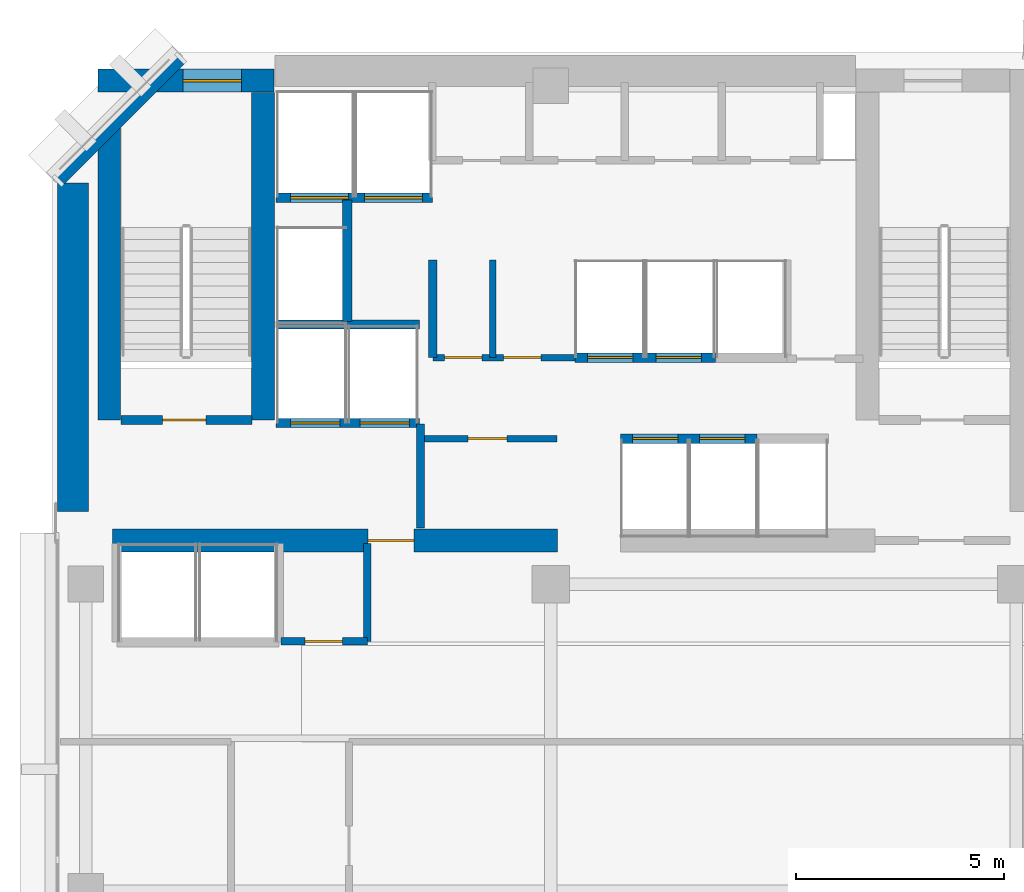
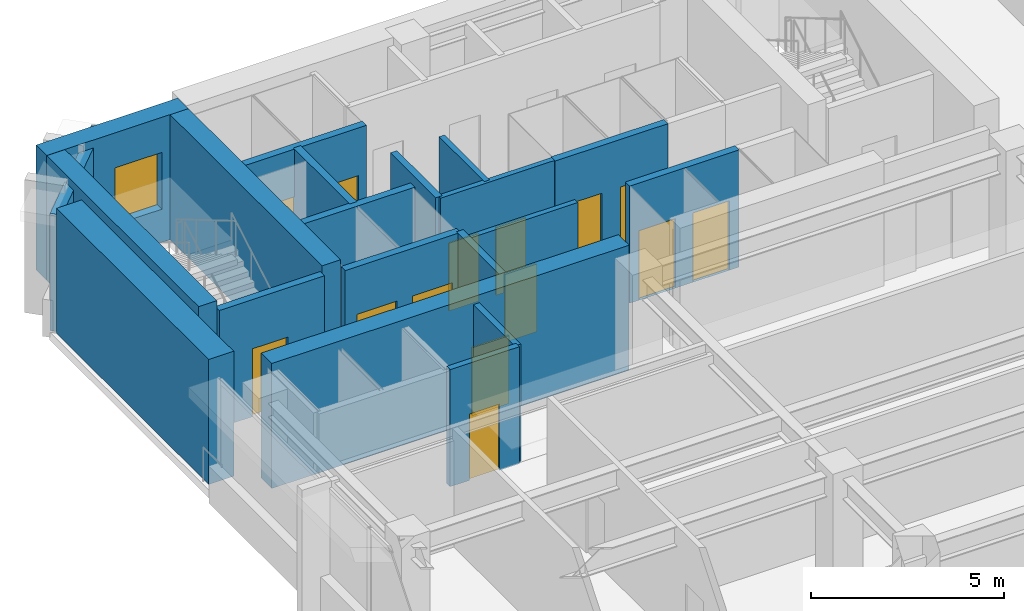
# One storey, part 7 of 11: 20 walls, 14 doors, 1 window, 15 openings.
"""IFC4 building model written with IfcOpenShell, lengths in metres."""

from ifc_helpers import new_model, si_unit, direction, frame, frame_2d, origin, place, context, subcontext, project, spatial, rectangle, extrude, material, layer, layer_set, type_object, element, fill, save


model = new_model("IFC4")

# Units and contexts
model_context = context("Model", 3, precision=1e-05, world=origin(), true_north=direction((0.0, 1.0)))
body_context = subcontext(model_context, "Body", "Model", "MODEL_VIEW")
ifc_project = project(units=[si_unit("LENGTHUNIT", "METRE"), si_unit("AREAUNIT", "SQUARE_METRE"), si_unit("VOLUMEUNIT", "CUBIC_METRE"), si_unit("PLANEANGLEUNIT", "RADIAN"), si_unit("MASSUNIT", "GRAM", prefix="KILO")], contexts=[model_context])

# Site, building, storey
site_placement = place(None, origin())
site = spatial("IfcSite", under=ifc_project, at=site_placement, CompositionType="ELEMENT")
building_placement = place(site_placement, origin())
building = spatial("IfcBuilding", under=site, at=building_placement, Name="Kefirva Bronze Tower", CompositionType="ELEMENT")
storey_placement = place(building_placement, frame((0.0, 0.0, 187.43994140625)))
storey = spatial("IfcBuildingStorey", under=building, at=storey_placement, Name="L45", CompositionType="ELEMENT", Elevation=187.43994140625)

# Wall, opening, door
ifc_material_1 = material(Name="Gypsum fireboard shaftwall")
ifc_layer_1 = layer(ifc_material_1, 0.219970703125, Name="Gypsum fireboard shaftwall")
ifc_layer_set_1 = layer_set([ifc_layer_1], Name="Gypsum fireboard shaftwall")
wall_type_1 = type_object("IfcWallType", Name="Fire-Rated Shaft Enclosure Wall 220mm", PredefinedType="PARTITIONING", material=ifc_layer_set_1)
wall_1_placement = place(storey_placement, frame((1.64990234375, 37.14990234375, 0.0), z_axis=(0.0, 0.0, 1.0), x_axis=(1.0, 0.0, 0.0)))
wall_1 = element("IfcWall", 1, at=wall_1_placement, inside=storey, type_object=wall_type_1, Name="L45 Partition W-L45-ST1S", PredefinedType="PARTITIONING", context=body_context, shape_type="SweptSolid", body=[
    extrude(rectangle(XDim=3.150146484375, YDim=0.219970703125, at=frame_2d((1.5751953125, 0.0))), origin(), (0.0, 0.0, 1.0), 3.7099609375),
])
opening_1_placement = place(wall_1_placement, frame((2.050048828125, 0.0, 0.0), z_axis=(0.0, 0.0, 1.0), x_axis=(-1.0, 0.0, 0.0)))
opening_1 = element("IfcOpeningElement", 2, at=opening_1_placement, cuts=wall_1, Name="Opening L45-D001", PredefinedType="OPENING", context=body_context, shape_type="SweptSolid", body=[
    extrude(rectangle(XDim=1.050048828125, YDim=2.14990234375, at=frame_2d((0.52490234375, 1.074951171875))), frame((0.0, 0.1201171875, 0.0), z_axis=(0.0, -1.0, 0.0), x_axis=(1.0, 0.0, 0.0)), (0.0, 0.0, 1.0), 0.239990234375),
])
ifc_material_2 = material(Name="Painted galvanized steel", Category="steel")
door_type_1 = type_object("IfcDoorType", Name="Fire Stair Enclosure Door 1050x2150 FD90S", OperationType="NOTDEFINED", PredefinedType="DOOR", material=ifc_material_2)
door_1_placement = place(opening_1_placement, origin())
door_1 = element("IfcDoor", 3, at=door_1_placement, inside=storey, type_object=door_type_1, Name="Door L45-D001", OperationType="SINGLE_SWING_LEFT", OverallHeight=2.14990234375, OverallWidth=1.050048828125, PredefinedType="DOOR", context=body_context, shape_type="SweptSolid", body=[
    extrude(rectangle(XDim=1.050048828125, YDim=2.14990234375, at=frame_2d((0.52490234375, 1.074951171875))), frame((0.0, 0.02490234375, 0.0), z_axis=(0.0, -1.0, 0.0), x_axis=(1.0, 0.0, 0.0)), (0.0, 0.0, 1.0), 0.050048828125),
])
fill(opening_1, door_1)

# Wall, openings, doors
wall_2_placement = place(storey_placement, frame((5.3798828125, 37.080078125, 0.0), z_axis=(0.0, 0.0, 1.0), x_axis=(1.0, 0.0, 0.0)))
wall_2 = element("IfcWall", 4, at=wall_2_placement, inside=storey, type_object=wall_type_1, Name="L45 Partition W-L45-FFS", PredefinedType="PARTITIONING", context=body_context, shape_type="SweptSolid", body=[
    extrude(rectangle(XDim=3.460205078125, YDim=0.219970703125, at=frame_2d((1.72998046875, 0.0))), origin(), (0.0, 0.0, 1.0), 3.7099609375),
])
opening_2_placement = place(wall_2_placement, frame((1.550048828125, 0.0, 0.0), z_axis=(0.0, 0.0, 1.0), x_axis=(-1.0, 0.0, 0.0)))
opening_2 = element("IfcOpeningElement", 5, at=opening_2_placement, cuts=wall_2, Name="Opening L45-LD-FF1", PredefinedType="OPENING", context=body_context, shape_type="SweptSolid", body=[
    extrude(rectangle(XDim=1.199951171875, YDim=2.199951171875, at=frame_2d((0.60009765625, 1.10009765625))), frame((0.0, 0.1201171875, 0.0), z_axis=(0.0, -1.0, 0.0), x_axis=(1.0, 0.0, 0.0)), (0.0, 0.0, 1.0), 0.239990234375),
])
opening_3_placement = place(wall_2_placement, frame((3.219970703125, 0.0, 0.0), z_axis=(0.0, 0.0, 1.0), x_axis=(-1.0, 0.0, 0.0)))
opening_3 = element("IfcOpeningElement", 6, at=opening_3_placement, cuts=wall_2, Name="Opening L45-LD-FF2", PredefinedType="OPENING", context=body_context, shape_type="SweptSolid", body=[
    extrude(rectangle(XDim=1.199951171875, YDim=2.199951171875, at=frame_2d((0.60009765625, 1.10009765625))), frame((0.0, 0.1201171875, 0.0), z_axis=(0.0, -1.0, 0.0), x_axis=(1.0, 0.0, 0.0)), (0.0, 0.0, 1.0), 0.239990234375),
])
ifc_material_3 = material(Name="Stainless steel 316", Category="steel")
door_type_2 = type_object("IfcDoorType", Name="Firefighting Lift Sliding Door 1200x2200", OperationType="SLIDING_TO_RIGHT", PredefinedType="DOOR", material=ifc_material_3)
door_2_placement = place(opening_2_placement, origin())
door_2 = element("IfcDoor", 7, at=door_2_placement, inside=storey, type_object=door_type_2, Name="Door L45-LD-FF1", OperationType="SLIDING_TO_RIGHT", OverallHeight=2.199951171875, OverallWidth=1.199951171875, PredefinedType="DOOR", context=body_context, shape_type="SweptSolid", body=[
    extrude(rectangle(XDim=1.199951171875, YDim=2.199951171875, at=frame_2d((0.60009765625, 1.10009765625))), frame((0.0, 0.02490234375, 0.0), z_axis=(0.0, -1.0, 0.0), x_axis=(1.0, 0.0, 0.0)), (0.0, 0.0, 1.0), 0.050048828125),
])
fill(opening_2, door_2)
door_3_placement = place(opening_3_placement, origin())
door_3 = element("IfcDoor", 8, at=door_3_placement, inside=storey, type_object=door_type_2, Name="Door L45-LD-FF2", OperationType="SLIDING_TO_RIGHT", OverallHeight=2.199951171875, OverallWidth=1.199951171875, PredefinedType="DOOR", context=body_context, shape_type="SweptSolid", body=[
    extrude(rectangle(XDim=1.199951171875, YDim=2.199951171875, at=frame_2d((0.60009765625, 1.10009765625))), frame((0.0, 0.02490234375, 0.0), z_axis=(0.0, -1.0, 0.0), x_axis=(1.0, 0.0, 0.0)), (0.0, 0.0, 1.0), 0.050048828125),
])
fill(opening_3, door_3)

# Wall
wall_3_placement = place(storey_placement, frame((5.3798828125, 39.449951171875, 0.0), z_axis=(0.0, 0.0, 1.0), x_axis=(1.0, 0.0, 0.0)))
element("IfcWall", 9, at=wall_3_placement, inside=storey, type_object=wall_type_1, Name="L45 Partition W-L45-FFN", PredefinedType="PARTITIONING", context=body_context, shape_type="SweptSolid", body=[
    extrude(rectangle(XDim=3.460205078125, YDim=0.219970703125, at=frame_2d((1.72998046875, 0.0))), origin(), (0.0, 0.0, 1.0), 3.7099609375),
])

# Wall, openings, doors
wall_4_placement = place(storey_placement, frame((5.3798828125, 42.5, 0.0), z_axis=(0.0, 0.0, 1.0), x_axis=(1.0, 0.0, 0.0)))
wall_4 = element("IfcWall", 10, at=wall_4_placement, inside=storey, type_object=wall_type_1, Name="L45 Partition W-L45-SVS", PredefinedType="PARTITIONING", context=body_context, shape_type="SweptSolid", body=[
    extrude(rectangle(XDim=3.77001953125, YDim=0.219970703125, at=frame_2d((1.885009765625, 0.0))), origin(), (0.0, 0.0, 1.0), 3.7099609375),
])
opening_4_placement = place(wall_4_placement, frame((1.75, 0.0, 0.0), z_axis=(0.0, 0.0, 1.0), x_axis=(-1.0, 0.0, 0.0)))
opening_4 = element("IfcOpeningElement", 11, at=opening_4_placement, cuts=wall_4, Name="Opening L45-LD-SV1", PredefinedType="OPENING", context=body_context, shape_type="SweptSolid", body=[
    extrude(rectangle(XDim=1.39990234375, YDim=2.199951171875, at=frame_2d((0.699951171875, 1.10009765625))), frame((0.0, 0.1201171875, 0.0), z_axis=(0.0, -1.0, 0.0), x_axis=(1.0, 0.0, 0.0)), (0.0, 0.0, 1.0), 0.239990234375),
])
opening_5_placement = place(wall_4_placement, frame((3.52978515625, 0.0, 0.0), z_axis=(0.0, 0.0, 1.0), x_axis=(-1.0, 0.0, 0.0)))
opening_5 = element("IfcOpeningElement", 12, at=opening_5_placement, cuts=wall_4, Name="Opening L45-LD-SV2", PredefinedType="OPENING", context=body_context, shape_type="SweptSolid", body=[
    extrude(rectangle(XDim=1.39990234375, YDim=2.199951171875, at=frame_2d((0.699951171875, 1.10009765625))), frame((0.0, 0.1201171875, 0.0), z_axis=(0.0, -1.0, 0.0), x_axis=(1.0, 0.0, 0.0)), (0.0, 0.0, 1.0), 0.239990234375),
])
door_type_3 = type_object("IfcDoorType", Name="Goods Lift Bi-Parting Sliding Door 1400x2200", OperationType="SLIDING_TO_LEFT", PredefinedType="DOOR", material=ifc_material_3)
door_4_placement = place(opening_4_placement, origin())
door_4 = element("IfcDoor", 13, at=door_4_placement, inside=storey, type_object=door_type_3, Name="Door L45-LD-SV1", OperationType="SLIDING_TO_LEFT", OverallHeight=2.199951171875, OverallWidth=1.39990234375, PredefinedType="DOOR", context=body_context, shape_type="SweptSolid", body=[
    extrude(rectangle(XDim=1.39990234375, YDim=2.199951171875, at=frame_2d((0.699951171875, 1.10009765625))), frame((0.0, 0.02490234375, 0.0), z_axis=(0.0, -1.0, 0.0), x_axis=(1.0, 0.0, 0.0)), (0.0, 0.0, 1.0), 0.050048828125),
])
fill(opening_4, door_4)
door_5_placement = place(opening_5_placement, origin())
door_5 = element("IfcDoor", 14, at=door_5_placement, inside=storey, type_object=door_type_3, Name="Door L45-LD-SV2", OperationType="SLIDING_TO_LEFT", OverallHeight=2.199951171875, OverallWidth=1.39990234375, PredefinedType="DOOR", context=body_context, shape_type="SweptSolid", body=[
    extrude(rectangle(XDim=1.39990234375, YDim=2.199951171875, at=frame_2d((0.699951171875, 1.10009765625))), frame((0.0, 0.02490234375, 0.0), z_axis=(0.0, -1.0, 0.0), x_axis=(1.0, 0.0, 0.0)), (0.0, 0.0, 1.0), 0.050048828125),
])
fill(opening_5, door_5)

# Walls
wall_5_placement = place(storey_placement, frame((7.10009765625, 39.52001953125, 0.0), z_axis=(0.0, 0.0, 1.0), x_axis=(0.0, 1.0, 0.0)))
element("IfcWall", 15, at=wall_5_placement, inside=storey, type_object=wall_type_1, Name="L45 Partition W-L45-HP3E", PredefinedType="PARTITIONING", context=body_context, shape_type="SweptSolid", body=[
    extrude(rectangle(XDim=2.929931640625, YDim=0.219970703125, at=frame_2d((1.46484375, 0.0))), origin(), (0.0, 0.0, 1.0), 3.7099609375),
])
wall_6_placement = place(storey_placement, frame((9.159912109375, 38.64990234375, 0.0), z_axis=(0.0, 0.0, 1.0), x_axis=(0.0, 1.0, 0.0)))
element("IfcWall", 16, at=wall_6_placement, inside=storey, type_object=wall_type_1, Name="L45 Partition W-L45-LP3W", PredefinedType="PARTITIONING", context=body_context, shape_type="SweptSolid", body=[
    extrude(rectangle(XDim=2.35009765625, YDim=0.199951171875, at=frame_2d((1.175048828125, 0.0))), origin(), (0.0, 0.0, 1.0), 3.7099609375),
])

# Wall, openings, doors
wall_7_placement = place(storey_placement, frame((13.679931640625, 36.699951171875, 0.0), z_axis=(0.0, 0.0, 1.0), x_axis=(1.0, 0.0, 0.0)))
wall_7 = element("IfcWall", 17, at=wall_7_placement, inside=storey, type_object=wall_type_1, Name="L45 Partition W-L45-MPS", PredefinedType="PARTITIONING", context=body_context, shape_type="SweptSolid", body=[
    extrude(rectangle(XDim=3.280029296875, YDim=0.219970703125, at=frame_2d((1.64013671875, 0.0))), origin(), (0.0, 0.0, 1.0), 3.7099609375),
])
opening_6_placement = place(wall_7_placement, frame((0.280029296875, 0.0, 0.0)))
opening_6 = element("IfcOpeningElement", 18, at=opening_6_placement, cuts=wall_7, Name="Opening L45-LD-MP1", PredefinedType="OPENING", context=body_context, shape_type="SweptSolid", body=[
    extrude(rectangle(XDim=1.10009765625, YDim=2.199951171875, at=frame_2d((0.550048828125, 1.10009765625))), frame((0.0, 0.1201171875, 0.0), z_axis=(0.0, -1.0, 0.0), x_axis=(1.0, 0.0, 0.0)), (0.0, 0.0, 1.0), 0.239990234375),
])
opening_7_placement = place(wall_7_placement, frame((1.89990234375, 0.0, 0.0)))
opening_7 = element("IfcOpeningElement", 19, at=opening_7_placement, cuts=wall_7, Name="Opening L45-LD-MP2", PredefinedType="OPENING", context=body_context, shape_type="SweptSolid", body=[
    extrude(rectangle(XDim=1.10009765625, YDim=2.199951171875, at=frame_2d((0.550048828125, 1.10009765625))), frame((0.0, 0.1201171875, 0.0), z_axis=(0.0, -1.0, 0.0), x_axis=(1.0, 0.0, 0.0)), (0.0, 0.0, 1.0), 0.239990234375),
])
door_type_4 = type_object("IfcDoorType", Name="Passenger Lift Sliding Landing Door 1100x2200", OperationType="SLIDING_TO_LEFT", PredefinedType="DOOR", material=ifc_material_3)
door_6_placement = place(opening_6_placement, origin())
door_6 = element("IfcDoor", 20, at=door_6_placement, inside=storey, type_object=door_type_4, Name="Door L45-LD-MP1", OperationType="SLIDING_TO_RIGHT", OverallHeight=2.199951171875, OverallWidth=1.10009765625, PredefinedType="DOOR", context=body_context, shape_type="SweptSolid", body=[
    extrude(rectangle(XDim=1.10009765625, YDim=2.199951171875, at=frame_2d((0.550048828125, 1.10009765625))), frame((0.0, 0.02490234375, 0.0), z_axis=(0.0, -1.0, 0.0), x_axis=(1.0, 0.0, 0.0)), (0.0, 0.0, 1.0), 0.050048828125),
])
fill(opening_6, door_6)
door_7_placement = place(opening_7_placement, origin())
door_7 = element("IfcDoor", 21, at=door_7_placement, inside=storey, type_object=door_type_4, Name="Door L45-LD-MP2", OperationType="SLIDING_TO_RIGHT", OverallHeight=2.199951171875, OverallWidth=1.10009765625, PredefinedType="DOOR", context=body_context, shape_type="SweptSolid", body=[
    extrude(rectangle(XDim=1.10009765625, YDim=2.199951171875, at=frame_2d((0.550048828125, 1.10009765625))), frame((0.0, 0.02490234375, 0.0), z_axis=(0.0, -1.0, 0.0), x_axis=(1.0, 0.0, 0.0)), (0.0, 0.0, 1.0), 0.050048828125),
])
fill(opening_7, door_7)

wall_8_placement = place(storey_placement, frame((12.580078125, 38.64990234375, 0.0), z_axis=(0.0, 0.0, 1.0), x_axis=(1.0, 0.0, 0.0)))
wall_8 = element("IfcWall", 22, at=wall_8_placement, inside=storey, type_object=wall_type_1, Name="L45 Partition W-L45-MPN", PredefinedType="PARTITIONING", context=body_context, shape_type="SweptSolid", body=[
    extrude(rectangle(XDim=3.3798828125, YDim=0.219970703125, at=frame_2d((1.68994140625, 0.0))), origin(), (0.0, 0.0, 1.0), 3.7099609375),
])
opening_8_placement = place(wall_8_placement, frame((0.300048828125, 0.0, 0.0)))
opening_8 = element("IfcOpeningElement", 23, at=opening_8_placement, cuts=wall_8, Name="Opening L45-LD-MP3", PredefinedType="OPENING", context=body_context, shape_type="SweptSolid", body=[
    extrude(rectangle(XDim=1.10009765625, YDim=2.199951171875, at=frame_2d((0.550048828125, 1.10009765625))), frame((0.0, 0.1201171875, 0.0), z_axis=(0.0, -1.0, 0.0), x_axis=(1.0, 0.0, 0.0)), (0.0, 0.0, 1.0), 0.239990234375),
])
opening_9_placement = place(wall_8_placement, frame((1.949951171875, 0.0, 0.0)))
opening_9 = element("IfcOpeningElement", 24, at=opening_9_placement, cuts=wall_8, Name="Opening L45-LD-MP4", PredefinedType="OPENING", context=body_context, shape_type="SweptSolid", body=[
    extrude(rectangle(XDim=1.10009765625, YDim=2.199951171875, at=frame_2d((0.550048828125, 1.10009765625))), frame((0.0, 0.1201171875, 0.0), z_axis=(0.0, -1.0, 0.0), x_axis=(1.0, 0.0, 0.0)), (0.0, 0.0, 1.0), 0.239990234375),
])
door_8_placement = place(opening_8_placement, origin())
door_8 = element("IfcDoor", 25, at=door_8_placement, inside=storey, type_object=door_type_4, Name="Door L45-LD-MP3", OperationType="SLIDING_TO_RIGHT", OverallHeight=2.199951171875, OverallWidth=1.10009765625, PredefinedType="DOOR", context=body_context, shape_type="SweptSolid", body=[
    extrude(rectangle(XDim=1.10009765625, YDim=2.199951171875, at=frame_2d((0.550048828125, 1.10009765625))), frame((0.0, 0.02490234375, 0.0), z_axis=(0.0, -1.0, 0.0), x_axis=(1.0, 0.0, 0.0)), (0.0, 0.0, 1.0), 0.050048828125),
])
fill(opening_8, door_8)
door_9_placement = place(opening_9_placement, origin())
door_9 = element("IfcDoor", 26, at=door_9_placement, inside=storey, type_object=door_type_4, Name="Door L45-LD-MP4", OperationType="SLIDING_TO_RIGHT", OverallHeight=2.199951171875, OverallWidth=1.10009765625, PredefinedType="DOOR", context=body_context, shape_type="SweptSolid", body=[
    extrude(rectangle(XDim=1.10009765625, YDim=2.199951171875, at=frame_2d((0.550048828125, 1.10009765625))), frame((0.0, 0.02490234375, 0.0), z_axis=(0.0, -1.0, 0.0), x_axis=(1.0, 0.0, 0.0)), (0.0, 0.0, 1.0), 0.050048828125),
])
fill(opening_9, door_9)

# Walls
ifc_material_4 = material(Name="Gypsum fireboard barrier")
ifc_layer_2 = layer(ifc_material_4, 0.199951171875, Name="Gypsum fireboard barrier")
ifc_layer_set_2 = layer_set([ifc_layer_2], Name="Gypsum fireboard barrier")
wall_type_2 = type_object("IfcWallType", Name="Firefighting Lobby Barrier Wall 200mm", PredefinedType="PARTITIONING", material=ifc_layer_set_2)
wall_9_placement = place(storey_placement, frame((8.860107421875, 34.550048828125, 0.0), z_axis=(0.0, 0.0, 1.0), x_axis=(0.0, 1.0, 0.0)))
element("IfcWall", 27, at=wall_9_placement, inside=storey, type_object=wall_type_2, Name="L45 Partition W-L45-FFLE", PredefinedType="PARTITIONING", context=body_context, shape_type="SweptSolid", body=[
    extrude(rectangle(XDim=2.5, YDim=0.199951171875, at=frame_2d((1.25, 0.0))), origin(), (0.0, 0.0, 1.0), 3.7099609375),
])
ifc_material_5 = material(Name="Precast concrete C40/50", Category="concrete")
ifc_layer_3 = layer(ifc_material_5, 0.320068359375, Name="Precast concrete C40/50")
ifc_layer_set_3 = layer_set([ifc_layer_3], Name="Precast concrete C40/50")
wall_type_3 = type_object("IfcWallType", Name="Precast Insulated Exterior Wall 320mm", PredefinedType="SOLIDWALL", material=ifc_layer_set_3)
wall_10_placement = place(storey_placement, frame((3.07421875, 45.847900390625, 0.0), z_axis=(0.0, 0.0, 1.0), x_axis=(-0.707106781187, -0.707106781187, 0.0)))
element("IfcWall", 28, at=wall_10_placement, inside=storey, type_object=wall_type_3, Name="L45 Exterior Facade Wall 5", PredefinedType="SOLIDWALL", context=body_context, shape_type="SweptSolid", body=[
    extrude(rectangle(XDim=4.132568359375, YDim=0.320068359375, at=frame_2d((2.06640625, 0.0))), origin(), (0.0, 0.0, 1.0), 3.7099609375),
])

# Wall, opening, door
ifc_material_6 = material(Name="Gypsum acoustic partition")
ifc_layer_4 = layer(ifc_material_6, 0.159912109375, Name="Gypsum acoustic partition")
ifc_layer_set_4 = layer_set([ifc_layer_4], Name="Gypsum acoustic partition")
wall_type_4 = type_object("IfcWallType", Name="Protected Corridor Partition 160mm", PredefinedType="PARTITIONING", material=ifc_layer_set_4)
wall_11_placement = place(storey_placement, frame((8.89990234375, 36.699951171875, 0.0), z_axis=(0.0, 0.0, 1.0), x_axis=(1.0, 0.0, 0.0)))
wall_11 = element("IfcWall", 29, at=wall_11_placement, inside=storey, type_object=wall_type_4, Name="L45 Partition W-L45-RECLP1", PredefinedType="PARTITIONING", context=body_context, shape_type="SweptSolid", body=[
    extrude(rectangle(XDim=3.25, YDim=0.159912109375, at=frame_2d((1.625, 0.0))), origin(), (0.0, 0.0, 1.0), 3.7099609375),
])
opening_10_placement = place(wall_11_placement, frame((1.10009765625, 0.0, 0.0)))
opening_10 = element("IfcOpeningElement", 30, at=opening_10_placement, cuts=wall_11, Name="Opening L45-D-RECLP1", PredefinedType="OPENING", context=body_context, shape_type="SweptSolid", body=[
    extrude(rectangle(XDim=0.949951171875, YDim=2.14990234375, at=frame_2d((0.47509765625, 1.074951171875))), frame((0.0, 0.08984375, 0.0), z_axis=(0.0, -1.0, 0.0), x_axis=(1.0, 0.0, 0.0)), (0.0, 0.0, 1.0), 0.179931640625),
])
ifc_material_7 = material(Name="Acoustic hardwood oak", Category="wood")
door_type_5 = type_object("IfcDoorType", Name="Office & Meeting Room Door 950x2150", OperationType="NOTDEFINED", PredefinedType="DOOR", material=ifc_material_7)
door_10_placement = place(opening_10_placement, origin())
door_10 = element("IfcDoor", 31, at=door_10_placement, inside=storey, type_object=door_type_5, Name="Door L45-D-RECLP1", OperationType="SINGLE_SWING_LEFT", OverallHeight=2.14990234375, OverallWidth=0.949951171875, PredefinedType="DOOR", context=body_context, shape_type="SweptSolid", body=[
    extrude(rectangle(XDim=0.949951171875, YDim=2.14990234375, at=frame_2d((0.47509765625, 1.074951171875))), frame((0.0, 0.02490234375, 0.0), z_axis=(0.0, -1.0, 0.0), x_axis=(1.0, 0.0, 0.0)), (0.0, 0.0, 1.0), 0.050048828125),
])
fill(opening_10, door_10)

# Wall, openings, doors
wall_12_placement = place(storey_placement, frame((9.159912109375, 38.64990234375, 0.0), z_axis=(0.0, 0.0, 1.0), x_axis=(1.0, 0.0, 0.0)))
wall_12 = element("IfcWall", 32, at=wall_12_placement, inside=storey, type_object=wall_type_4, Name="L45 Partition W-L45-RECLP2", PredefinedType="PARTITIONING", context=body_context, shape_type="SweptSolid", body=[
    extrude(rectangle(XDim=3.420166015625, YDim=0.159912109375, at=frame_2d((1.7099609375, 0.0))), origin(), (0.0, 0.0, 1.0), 3.7099609375),
])
opening_11_placement = place(wall_12_placement, frame((1.179931640625, 0.0, 0.0), z_axis=(0.0, 0.0, 1.0), x_axis=(-1.0, 0.0, 0.0)))
opening_11 = element("IfcOpeningElement", 33, at=opening_11_placement, cuts=wall_12, Name="Opening L45-D-RECLP2A", PredefinedType="OPENING", context=body_context, shape_type="SweptSolid", body=[
    extrude(rectangle(XDim=0.89990234375, YDim=2.14990234375, at=frame_2d((0.449951171875, 1.074951171875))), frame((0.0, 0.08984375, 0.0), z_axis=(0.0, -1.0, 0.0), x_axis=(1.0, 0.0, 0.0)), (0.0, 0.0, 1.0), 0.179931640625),
])
opening_12_placement = place(wall_12_placement, frame((2.599853515625, 0.0, 0.0), z_axis=(0.0, 0.0, 1.0), x_axis=(-1.0, 0.0, 0.0)))
opening_12 = element("IfcOpeningElement", 34, at=opening_12_placement, cuts=wall_12, Name="Opening L45-D-RECLP2B", PredefinedType="OPENING", context=body_context, shape_type="SweptSolid", body=[
    extrude(rectangle(XDim=0.89990234375, YDim=2.14990234375, at=frame_2d((0.449951171875, 1.074951171875))), frame((0.0, 0.08984375, 0.0), z_axis=(0.0, -1.0, 0.0), x_axis=(1.0, 0.0, 0.0)), (0.0, 0.0, 1.0), 0.179931640625),
])
door_type_6 = type_object("IfcDoorType", Name="Core Archive & Server Fire Door 900x2150 FD60S", OperationType="NOTDEFINED", PredefinedType="DOOR", material=ifc_material_2)
door_11_placement = place(opening_11_placement, origin())
door_11 = element("IfcDoor", 35, at=door_11_placement, inside=storey, type_object=door_type_6, Name="Door L45-D-RECLP2A", OperationType="SINGLE_SWING_RIGHT", OverallHeight=2.14990234375, OverallWidth=0.89990234375, PredefinedType="DOOR", context=body_context, shape_type="SweptSolid", body=[
    extrude(rectangle(XDim=0.89990234375, YDim=2.14990234375, at=frame_2d((0.449951171875, 1.074951171875))), frame((0.0, 0.02490234375, 0.0), z_axis=(0.0, -1.0, 0.0), x_axis=(1.0, 0.0, 0.0)), (0.0, 0.0, 1.0), 0.050048828125),
])
fill(opening_11, door_11)
door_12_placement = place(opening_12_placement, origin())
door_12 = element("IfcDoor", 36, at=door_12_placement, inside=storey, type_object=door_type_6, Name="Door L45-D-RECLP2B", OperationType="SINGLE_SWING_LEFT", OverallHeight=2.14990234375, OverallWidth=0.89990234375, PredefinedType="DOOR", context=body_context, shape_type="SweptSolid", body=[
    extrude(rectangle(XDim=0.89990234375, YDim=2.14990234375, at=frame_2d((0.449951171875, 1.074951171875))), frame((0.0, 0.02490234375, 0.0), z_axis=(0.0, -1.0, 0.0), x_axis=(1.0, 0.0, 0.0)), (0.0, 0.0, 1.0), 0.050048828125),
])
fill(opening_12, door_12)

# Wall
wall_13_placement = place(storey_placement, frame((10.60009765625, 38.64990234375, 0.0), z_axis=(0.0, 0.0, 1.0), x_axis=(0.0, 1.0, 0.0)))
element("IfcWall", 37, at=wall_13_placement, inside=storey, type_object=wall_type_4, Name="L45 Partition W-L45-RECLP2D", PredefinedType="PARTITIONING", context=body_context, shape_type="SweptSolid", body=[
    extrude(rectangle(XDim=2.35009765625, YDim=0.159912109375, at=frame_2d((1.175048828125, 0.0))), origin(), (0.0, 0.0, 1.0), 3.7099609375),
])

# Wall, opening, window
ifc_material_8 = material(Name="Concrete C50/60", Category="concrete")
ifc_layer_5 = layer(ifc_material_8, 0.550048828125, Name="Concrete C50/60")
ifc_layer_set_5 = layer_set([ifc_layer_5], Name="Concrete C50/60")
wall_type_5 = type_object("IfcWallType", Name="RC Rear Core Exterior Wall 550mm", PredefinedType="SHEAR", material=ifc_layer_set_5)
wall_14_placement = place(storey_placement, frame((1.10009765625, 45.320068359375, 0.0), z_axis=(0.0, 0.0, 1.0), x_axis=(1.0, 0.0, 0.0)))
wall_14 = element("IfcWall", 38, at=wall_14_placement, inside=storey, type_object=wall_type_5, Name="L45 Stair 1 North Shear Wall", PredefinedType="SHEAR", context=body_context, shape_type="SweptSolid", body=[
    extrude(rectangle(XDim=4.239990234375, YDim=0.550048828125, at=frame_2d((2.1201171875, 0.0))), origin(), (0.0, 0.0, 1.0), 3.9599609375),
])
opening_13_placement = place(wall_14_placement, frame((2.050048828125, 0.0, 1.050048828125)))
opening_13 = element("IfcOpeningElement", 39, at=opening_13_placement, cuts=wall_14, Name="Opening WN-03", PredefinedType="OPENING", context=body_context, shape_type="SweptSolid", body=[
    extrude(rectangle(XDim=1.39990234375, YDim=1.800048828125, at=frame_2d((0.699951171875, 0.89990234375))), frame((0.0, 0.28515625, 0.0), z_axis=(0.0, -1.0, 0.0), x_axis=(1.0, 0.0, 0.0)), (0.0, 0.0, 1.0), 0.570068359375),
])
ifc_material_9 = material(Name="Laminated low-E double glazing", Category="glass")
window_type = type_object("IfcWindowType", Name="Rear-Core Stair Daylight Window 1400x1800", PartitioningType="SINGLE_PANEL", PredefinedType="WINDOW", material=ifc_material_9)
window_placement = place(opening_13_placement, origin())
window = element("IfcWindow", 40, at=window_placement, inside=storey, type_object=window_type, Name="L45 Stair 1 Daylight Window", OverallHeight=1.800048828125, OverallWidth=1.39990234375, PartitioningType="SINGLE_PANEL", PredefinedType="WINDOW", context=body_context, shape_type="SweptSolid", body=[
    extrude(rectangle(XDim=1.39990234375, YDim=1.800048828125, at=frame_2d((0.699951171875, 0.89990234375))), frame((0.0, 0.030029296875, 0.0), z_axis=(0.0, -1.0, 0.0), x_axis=(1.0, 0.0, 0.0)), (0.0, 0.0, 1.0), 0.06005859375),
])
fill(opening_13, window)

# Walls
ifc_material_10 = material(Name="Concrete C60/75", Category="concrete")
ifc_layer_6 = layer(ifc_material_10, 0.75, Name="Concrete C60/75")
ifc_layer_set_6 = layer_set([ifc_layer_6], Name="Concrete C60/75")
wall_type_6 = type_object("IfcWallType", Name="RC Rear Core Exterior Wall 750mm", PredefinedType="SHEAR", material=ifc_layer_set_6)
wall_15_placement = place(storey_placement, frame((0.5, 34.949951171875, 0.0), z_axis=(0.0, 0.0, 1.0), x_axis=(0.0, 1.0, 0.0)))
element("IfcWall", 41, at=wall_15_placement, inside=storey, type_object=wall_type_6, Name="L45 Rear Core West Shear Wall", PredefinedType="SHEAR", context=body_context, shape_type="SweptSolid", body=[
    extrude(rectangle(XDim=7.900146484375, YDim=0.75, at=frame_2d((3.9501953125, 0.0))), origin(), (0.0, 0.0, 1.0), 3.9599609375),
])
ifc_layer_7 = layer(ifc_material_8, 0.550048828125, Name="Concrete C50/60")
ifc_layer_set_7 = layer_set([ifc_layer_7], Name="Concrete C50/60")
wall_type_7 = type_object("IfcWallType", Name="RC Rear Core Interior Wall 550mm", PredefinedType="SHEAR", material=ifc_layer_set_7)
for number, where, z_axis, x_axis, name in (
    (42, (1.3701171875, 37.14990234375, 0.0), (0.0, 0.0, 1.0), (0.0, 1.0, 0.0), "L45 Stair 1 West Shear Wall"),
    (43, (5.070068359375, 37.14990234375, 0.0), (0.0, 0.0, 1.0), (0.0, 1.0, 0.0), "L45 Stair 1 East Shear Wall"),
):
    element("IfcWall", number, at=place(storey_placement, frame(where, z_axis=z_axis, x_axis=x_axis)), inside=storey, type_object=wall_type_7, Name=name, PredefinedType="SHEAR", context=body_context, shape_type="SweptSolid", body=[
        extrude(rectangle(XDim=7.89013671875, YDim=0.550048828125, at=frame_2d((3.945068359375, 0.0))), origin(), (0.0, 0.0, 1.0), 3.9599609375),
    ])

# Wall, opening, door
ifc_layer_8 = layer(ifc_material_10, 0.75, Name="Concrete C60/75")
ifc_layer_set_8 = layer_set([ifc_layer_8], Name="Concrete C60/75")
wall_type_8 = type_object("IfcWallType", Name="RC Rear Core Interior Wall 750mm", PredefinedType="SHEAR", material=ifc_layer_set_8)
wall_16_placement = place(storey_placement, frame((1.449951171875, 34.25, 0.0), z_axis=(0.0, 0.0, 1.0), x_axis=(1.0, 0.0, 0.0)))
wall_16 = element("IfcWall", 44, at=wall_16_placement, inside=storey, type_object=wall_type_8, Name="L45 Rear Core South-West Shear Wall", PredefinedType="SHEAR", context=body_context, shape_type="SweptSolid", body=[
    extrude(rectangle(XDim=10.7099609375, YDim=0.550048828125, at=frame_2d((5.35498046875, 0.0))), origin(), (0.0, 0.0, 1.0), 3.9599609375),
])
opening_14_placement = place(wall_16_placement, frame((7.25, 0.0, 0.0), z_axis=(0.0, 0.0, 1.0), x_axis=(-1.0, 0.0, 0.0)))
opening_14 = element("IfcOpeningElement", 45, at=opening_14_placement, cuts=wall_16, Name="Opening L45-D002", PredefinedType="OPENING", context=body_context, shape_type="SweptSolid", body=[
    extrude(rectangle(XDim=1.10009765625, YDim=2.14990234375, at=frame_2d((0.550048828125, 1.074951171875))), frame((0.0, 0.28515625, 0.0), z_axis=(0.0, -1.0, 0.0), x_axis=(1.0, 0.0, 0.0)), (0.0, 0.0, 1.0), 0.570068359375),
])
door_type_7 = type_object("IfcDoorType", Name="Firefighting Lobby Smoke Door 1100x2150 FD60S", OperationType="NOTDEFINED", PredefinedType="DOOR", material=ifc_material_2)
door_13_placement = place(opening_14_placement, origin())
door_13 = element("IfcDoor", 46, at=door_13_placement, inside=storey, type_object=door_type_7, Name="Door L45-D002", OperationType="SINGLE_SWING_RIGHT", OverallHeight=2.14990234375, OverallWidth=1.10009765625, PredefinedType="DOOR", context=body_context, shape_type="SweptSolid", body=[
    extrude(rectangle(XDim=1.10009765625, YDim=2.14990234375, at=frame_2d((0.550048828125, 1.074951171875))), frame((0.0, 0.02490234375, 0.0), z_axis=(0.0, -1.0, 0.0), x_axis=(1.0, 0.0, 0.0)), (0.0, 0.0, 1.0), 0.050048828125),
])
fill(opening_14, door_13)

ifc_material_11 = material(Name="Moisture-resistant partition")
ifc_layer_9 = layer(ifc_material_11, 0.179931640625, Name="Moisture-resistant partition")
ifc_layer_set_9 = layer_set([ifc_layer_9], Name="Moisture-resistant partition")
wall_type_9 = type_object("IfcWallType", Name="Sanitary Plumbing Chase Wall 180mm", PredefinedType="PLUMBINGWALL", material=ifc_layer_set_9)
wall_17_placement = place(storey_placement, frame((5.5, 31.820068359375, 0.0), z_axis=(0.0, 0.0, 1.0), x_axis=(1.0, 0.0, 0.0)))
wall_17 = element("IfcWall", 47, at=wall_17_placement, inside=storey, type_object=wall_type_9, Name="L45 Partition W-L45-TCS", PredefinedType="PLUMBINGWALL", context=body_context, shape_type="SweptSolid", body=[
    extrude(rectangle(XDim=2.080078125, YDim=0.179931640625, at=frame_2d((1.0400390625, 0.0))), origin(), (0.0, 0.0, 1.0), 3.7099609375),
])
opening_15_placement = place(wall_17_placement, frame((1.47998046875, 0.0, 0.0), z_axis=(0.0, 0.0, 1.0), x_axis=(-1.0, 0.0, 0.0)))
opening_15 = element("IfcOpeningElement", 48, at=opening_15_placement, cuts=wall_17, Name="Opening L45-D-TCL1", PredefinedType="OPENING", context=body_context, shape_type="SweptSolid", body=[
    extrude(rectangle(XDim=0.89990234375, YDim=2.10009765625, at=frame_2d((0.449951171875, 1.050048828125))), frame((0.0, 0.10009765625, 0.0), z_axis=(0.0, -1.0, 0.0), x_axis=(1.0, 0.0, 0.0)), (0.0, 0.0, 1.0), 0.199951171875),
])
door_type_8 = type_object("IfcDoorType", Name="Telecom & Meter Fire Door 900x2100 FD60S", OperationType="NOTDEFINED", PredefinedType="DOOR", material=ifc_material_2)
door_14_placement = place(opening_15_placement, origin())
door_14 = element("IfcDoor", 49, at=door_14_placement, inside=storey, type_object=door_type_8, Name="Door L45-D-TCL1", OperationType="SINGLE_SWING_RIGHT", OverallHeight=2.10009765625, OverallWidth=0.89990234375, PredefinedType="DOOR", context=body_context, shape_type="SweptSolid", body=[
    extrude(rectangle(XDim=0.89990234375, YDim=2.10009765625, at=frame_2d((0.449951171875, 1.050048828125))), frame((0.0, 0.02490234375, 0.0), z_axis=(0.0, -1.0, 0.0), x_axis=(1.0, 0.0, 0.0)), (0.0, 0.0, 1.0), 0.050048828125),
])
fill(opening_15, door_14)

# Wall
wall_18_placement = place(storey_placement, frame((7.580078125, 31.820068359375, 0.0), z_axis=(0.0, 0.0, 1.0), x_axis=(0.0, 1.0, 0.0)))
element("IfcWall", 50, at=wall_18_placement, inside=storey, type_object=wall_type_9, Name="L45 Partition W-L45-TCE", PredefinedType="PLUMBINGWALL", context=body_context, shape_type="SweptSolid", body=[
    extrude(rectangle(XDim=2.35986328125, YDim=0.179931640625, at=frame_2d((1.179931640625, 0.0))), origin(), (0.0, 0.0, 1.0), 3.7099609375),
])

save(model, "model.ifc")
